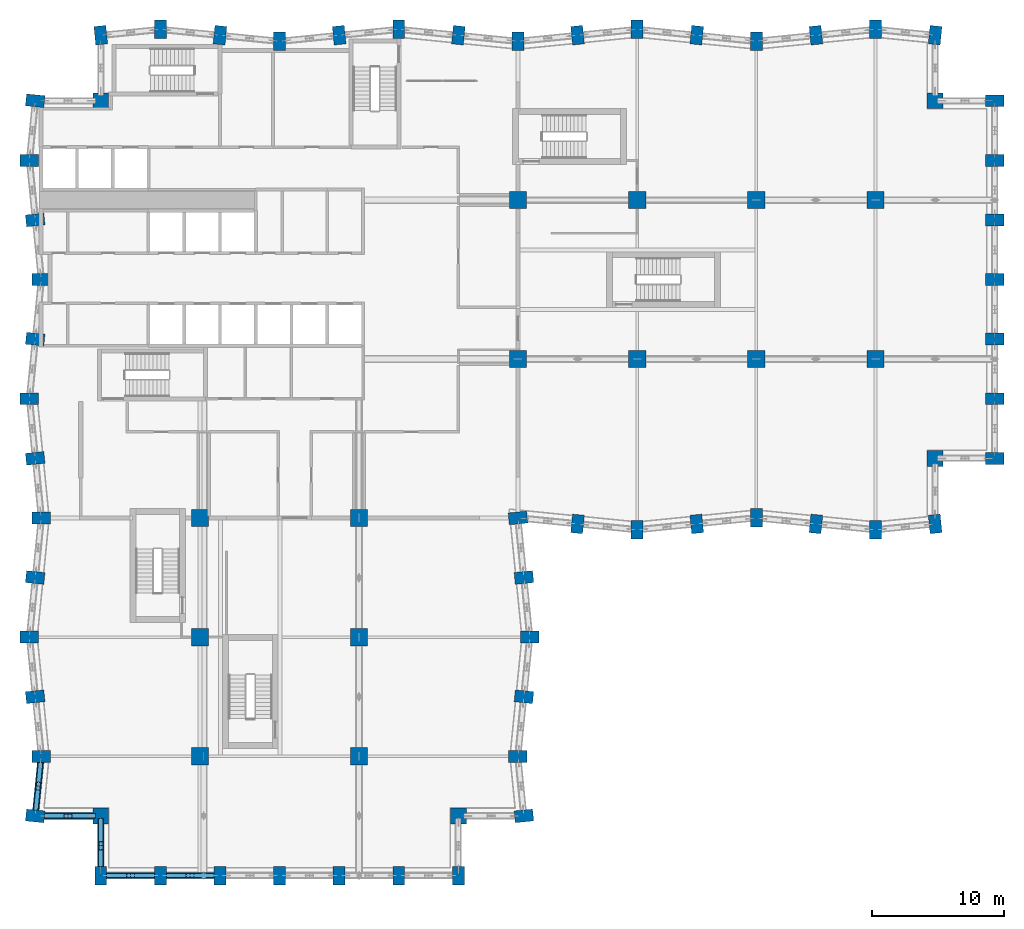
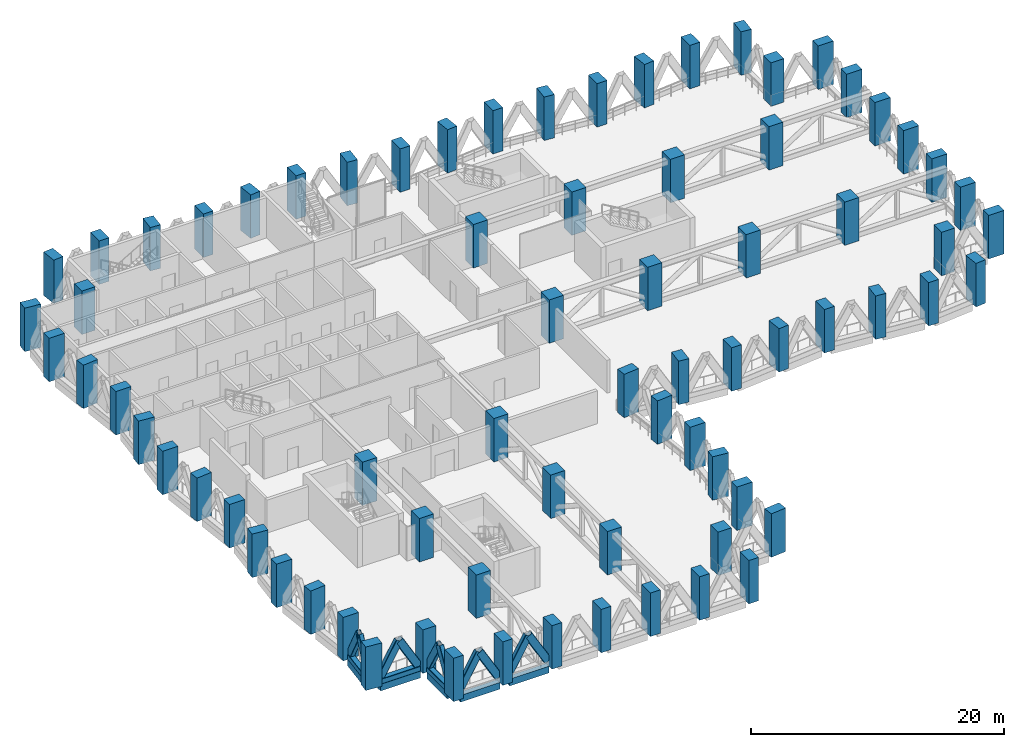
# One storey, part 1 of 25: 74 columns, 13 members, 5 beams.
"""IFC4 building model written with IfcOpenShell, lengths in metres."""

from ifc_helpers import new_model, si_unit, direction, frame, origin, origin_2d, place, context, subcontext, project, spatial, rectangle, hollow_rectangle, extrude, material, material_profile, profile_set, type_object, element, save


model = new_model("IFC4")

# Units and contexts
model_context = context("Model", 3, precision=1e-05, world=origin(), true_north=direction((0.0, 1.0)))
body_context = subcontext(model_context, "Body", "Model", "MODEL_VIEW")
ifc_project = project(units=[si_unit("LENGTHUNIT", "METRE"), si_unit("AREAUNIT", "SQUARE_METRE"), si_unit("VOLUMEUNIT", "CUBIC_METRE"), si_unit("PLANEANGLEUNIT", "RADIAN"), si_unit("MASSUNIT", "GRAM", prefix="KILO")], contexts=[model_context])

# Site, building, storey
site_placement = place(None, origin())
site = spatial("IfcSite", under=ifc_project, at=site_placement, CompositionType="ELEMENT")
building_placement = place(site_placement, origin())
building = spatial("IfcBuilding", under=site, at=building_placement, Name="Brondeck Convention Tower", CompositionType="ELEMENT")
storey_placement = place(building_placement, frame((0.0, 0.0, 84.300048828125)))
storey = spatial("IfcBuildingStorey", under=building, at=storey_placement, Name="L19", CompositionType="ELEMENT", Elevation=84.300048828125)

# Columns
ifc_material_1 = material(Name="Concrete C80/95", Category="concrete")
ifc_material_profile_1 = material_profile(ifc_material_1, rectangle(XDim=1.199951171875, YDim=1.199951171875, at=origin_2d()), Name="Corner column 1200x1200 Concrete C80/95")
ifc_profile_set_1 = profile_set([ifc_material_profile_1], Name="Concrete C80/95")
column_type_1 = type_object("IfcColumnType", Name="Corner column 1200x1200 Concrete C80/95", PredefinedType="COLUMN", material=ifc_profile_set_1)
for number, where, z_axis, x_axis, name in (
    (1, (4.5, 4.5, 0.0), (0.0, 0.0, 1.0), (1.0, 0.0, 0.0), "STR-COL-L19-NC-SWB0"),
    (2, (31.5, 4.5, 0.0), (0.0, 0.0, 1.0), (1.0, 0.0, 0.0), "STR-COL-L19-NC-SEB0"),
    (3, (67.5, 31.5, 0.0), (0.0, 0.0, 1.0), (1.0, 0.0, 0.0), "STR-COL-L19-NC-SEA72"),
    (4, (67.5, 58.5, 0.0), (0.0, 0.0, 1.0), (1.0, 0.0, 0.0), "STR-COL-L19-NC-NEA72"),
    (5, (4.5, 58.5, 0.0), (0.0, 0.0, 1.0), (1.0, 0.0, 0.0), "STR-COL-L19-NC-NW"),
):
    element("IfcColumn", number, at=place(storey_placement, frame(where, z_axis=z_axis, x_axis=x_axis)), inside=storey, type_object=column_type_1, Name=name, PredefinedType="COLUMN", context=body_context, shape_type="SweptSolid", body=[
        extrude(rectangle(XDim=1.199951171875, YDim=1.199951171875, at=origin_2d()), origin(), (0.0, 0.0, 1.0), 4.199951171875),
    ])
ifc_material_profile_2 = material_profile(ifc_material_1, rectangle(XDim=1.300048828125, YDim=1.300048828125, at=origin_2d()), Name="Interior column 1300x1300 Concrete C80/95")
ifc_profile_set_2 = profile_set([ifc_material_profile_2], Name="Concrete C80/95")
column_type_2 = type_object("IfcColumnType", Name="Interior column 1300x1300 Concrete C80/95", PredefinedType="COLUMN", material=ifc_profile_set_2)
for number, where, z_axis, x_axis, name in (
    (6, (12.0, 9.0, 0.0), (0.0, 0.0, 1.0), (1.0, 0.0, 0.0), "STR-COL-L19-IC-01"),
    (7, (12.0, 18.0, 0.0), (0.0, 0.0, 1.0), (1.0, 0.0, 0.0), "STR-COL-L19-IC-02"),
    (8, (12.0, 27.0, 0.0), (0.0, 0.0, 1.0), (1.0, 0.0, 0.0), "STR-COL-L19-IC-03"),
    (9, (24.0, 9.0, 0.0), (0.0, 0.0, 1.0), (1.0, 0.0, 0.0), "STR-COL-L19-IC-04"),
    (10, (24.0, 18.0, 0.0), (0.0, 0.0, 1.0), (1.0, 0.0, 0.0), "STR-COL-L19-IC-05"),
    (11, (24.0, 27.0, 0.0), (0.0, 0.0, 1.0), (1.0, 0.0, 0.0), "STR-COL-L19-IC-06"),
    (12, (36.0, 39.0, 0.0), (0.0, 0.0, 1.0), (1.0, 0.0, 0.0), "STR-COL-L19-IC-07"),
    (13, (36.0, 51.0, 0.0), (0.0, 0.0, 1.0), (1.0, 0.0, 0.0), "STR-COL-L19-IC-08"),
    (14, (45.0, 39.0, 0.0), (0.0, 0.0, 1.0), (1.0, 0.0, 0.0), "STR-COL-L19-IC-09"),
    (15, (45.0, 51.0, 0.0), (0.0, 0.0, 1.0), (1.0, 0.0, 0.0), "STR-COL-L19-IC-10"),
    (16, (54.0, 39.0, 0.0), (0.0, 0.0, 1.0), (1.0, 0.0, 0.0), "STR-COL-L19-IC-11"),
    (17, (54.0, 51.0, 0.0), (0.0, 0.0, 1.0), (1.0, 0.0, 0.0), "STR-COL-L19-IC-12"),
    (18, (63.0, 39.0, 0.0), (0.0, 0.0, 1.0), (1.0, 0.0, 0.0), "STR-COL-L19-IC-13"),
    (19, (63.0, 51.0, 0.0), (0.0, 0.0, 1.0), (1.0, 0.0, 0.0), "STR-COL-L19-IC-14"),
):
    element("IfcColumn", number, at=place(storey_placement, frame(where, z_axis=z_axis, x_axis=x_axis)), inside=storey, type_object=column_type_2, Name=name, PredefinedType="COLUMN", context=body_context, shape_type="SweptSolid", body=[
        extrude(rectangle(XDim=1.300048828125, YDim=1.300048828125, at=origin_2d()), origin(), (0.0, 0.0, 1.0), 4.199951171875),
    ])
ifc_material_profile_3 = material_profile(ifc_material_1, rectangle(XDim=0.89990234375, YDim=1.39990234375, at=origin_2d()), Name="Perimeter pier 900x1400 Concrete C80/95")
ifc_profile_set_3 = profile_set([ifc_material_profile_3], Name="Concrete C80/95")
column_type_3 = type_object("IfcColumnType", Name="Perimeter pier 900x1400 Concrete C80/95", PredefinedType="COLUMN", material=ifc_profile_set_3)
for number, where, z_axis, x_axis, name in (
    (20, (4.5, 0.0, 0.0), (0.0, 0.0, 1.0), (1.0, 0.0, 0.0), "STR-COL-L19-PC-B-S0-01"),
    (21, (9.0, 0.0, 0.0), (0.0, 0.0, 1.0), (1.0, 0.0, 0.0), "STR-COL-L19-PC-B-S0-02"),
    (22, (13.5, 0.0, 0.0), (0.0, 0.0, 1.0), (1.0, 0.0, 0.0), "STR-COL-L19-PC-B-S0-03"),
    (23, (18.0, 0.0, 0.0), (0.0, 0.0, 1.0), (1.0, 0.0, 0.0), "STR-COL-L19-PC-B-S0-04"),
    (24, (22.5, 0.0, 0.0), (0.0, 0.0, 1.0), (1.0, 0.0, 0.0), "STR-COL-L19-PC-B-S0-05"),
    (25, (27.0, 0.0, 0.0), (0.0, 0.0, 1.0), (1.0, 0.0, 0.0), "STR-COL-L19-PC-B-S0-06"),
    (26, (31.5, 0.0, 0.0), (0.0, 0.0, 1.0), (1.0, 0.0, 0.0), "STR-COL-L19-PC-B-S0-07"),
    (27, (36.449951171875, 4.5, 0.0), (0.0, 0.0, 1.0), (-0.0995038382, 0.995037178292, 0.0), "STR-COL-L19-PC-B-E-05"),
    (28, (36.0, 9.0, 0.0), (0.0, 0.0, 1.0), (0.0, 1.0, 0.0), "STR-COL-L19-PC-B-E-04"),
    (29, (36.449951171875, 13.5, 0.0), (0.0, 0.0, 1.0), (0.0995038382, 0.995037178292, 0.0), "STR-COL-L19-PC-B-E-03"),
    (30, (36.89990234375, 18.0, 0.0), (0.0, 0.0, 1.0), (0.0, 1.0, 0.0), "STR-COL-L19-PC-B-E-02"),
    (31, (36.449951171875, 22.5, 0.0), (0.0, 0.0, 1.0), (-0.0995038382, 0.995037178292, 0.0), "STR-COL-L19-PC-B-E-01"),
    (32, (36.0, 27.0, 0.0), (0.0, 0.0, 1.0), (-0.0995038382, 0.995037178292, 0.0), "STR-COL-L19-PC-B-E-00"),
    (33, (40.5, 26.550048828125, 0.0), (0.0, 0.0, 1.0), (0.995037178292, -0.0995038382, 0.0), "STR-COL-L19-PC-A-S-01"),
    (34, (45.0, 26.10009765625, 0.0), (0.0, 0.0, 1.0), (1.0, 0.0, 0.0), "STR-COL-L19-PC-A-S-02"),
    (35, (49.5, 26.550048828125, 0.0), (0.0, 0.0, 1.0), (0.995037178292, 0.0995038382, 0.0), "STR-COL-L19-PC-A-S-03"),
    (36, (54.0, 27.0, 0.0), (0.0, 0.0, 1.0), (1.0, 0.0, 0.0), "STR-COL-L19-PC-A-S-04"),
    (37, (58.5, 26.550048828125, 0.0), (0.0, 0.0, 1.0), (0.995037178292, -0.0995038382, 0.0), "STR-COL-L19-PC-A-S-05"),
    (38, (63.0, 26.10009765625, 0.0), (0.0, 0.0, 1.0), (1.0, 0.0, 0.0), "STR-COL-L19-PC-A-S-06"),
    (39, (67.5, 26.550048828125, 0.0), (0.0, 0.0, 1.0), (0.995037178292, 0.0995038382, 0.0), "STR-COL-L19-PC-A-S-07"),
    (40, (72.0, 31.5, 0.0), (0.0, 0.0, 1.0), (0.0, 1.0, 0.0), "STR-COL-L19-PC-A-E72-01"),
    (41, (72.0, 36.0, 0.0), (0.0, 0.0, 1.0), (0.0, 1.0, 0.0), "STR-COL-L19-PC-A-E72-02"),
    (42, (72.0, 40.5, 0.0), (0.0, 0.0, 1.0), (0.0, 1.0, 0.0), "STR-COL-L19-PC-A-E72-03"),
    (43, (72.0, 45.0, 0.0), (0.0, 0.0, 1.0), (0.0, 1.0, 0.0), "STR-COL-L19-PC-A-E72-04"),
    (44, (72.0, 49.5, 0.0), (0.0, 0.0, 1.0), (0.0, 1.0, 0.0), "STR-COL-L19-PC-A-E72-05"),
    (45, (72.0, 54.0, 0.0), (0.0, 0.0, 1.0), (0.0, 1.0, 0.0), "STR-COL-L19-PC-A-E72-06"),
    (46, (72.0, 58.5, 0.0), (0.0, 0.0, 1.0), (0.0, 1.0, 0.0), "STR-COL-L19-PC-A-E72-07"),
    (47, (67.5, 63.449951171875, 0.0), (0.0, 0.0, 1.0), (-0.995037178292, 0.0995038382, 0.0), "STR-COL-L19-PC-A-N-15"),
    (48, (63.0, 63.89990234375, 0.0), (0.0, 0.0, 1.0), (-1.0, 0.0, 0.0), "STR-COL-L19-PC-A-N-14"),
    (49, (58.5, 63.449951171875, 0.0), (0.0, 0.0, 1.0), (-0.995037178292, -0.0995038382, 0.0), "STR-COL-L19-PC-A-N-13"),
    (50, (54.0, 63.0, 0.0), (0.0, 0.0, 1.0), (-1.0, 0.0, 0.0), "STR-COL-L19-PC-A-N-12"),
    (51, (49.5, 63.449951171875, 0.0), (0.0, 0.0, 1.0), (-0.995037178292, 0.0995038382, 0.0), "STR-COL-L19-PC-A-N-11"),
    (52, (45.0, 63.89990234375, 0.0), (0.0, 0.0, 1.0), (-1.0, 0.0, 0.0), "STR-COL-L19-PC-A-N-10"),
    (53, (40.5, 63.449951171875, 0.0), (0.0, 0.0, 1.0), (-0.995037178292, -0.0995038382, 0.0), "STR-COL-L19-PC-A-N-09"),
    (54, (36.0, 63.0, 0.0), (0.0, 0.0, 1.0), (-1.0, 0.0, 0.0), "STR-COL-L19-PC-A-N-08"),
    (55, (31.5, 63.449951171875, 0.0), (0.0, 0.0, 1.0), (-0.995037178292, 0.0995038382, 0.0), "STR-COL-L19-PC-A-N-07"),
    (56, (27.0, 63.89990234375, 0.0), (0.0, 0.0, 1.0), (-1.0, 0.0, 0.0), "STR-COL-L19-PC-A-N-06"),
    (57, (22.5, 63.449951171875, 0.0), (0.0, 0.0, 1.0), (-0.995037178292, -0.0995038382, 0.0), "STR-COL-L19-PC-A-N-05"),
    (58, (18.0, 63.0, 0.0), (0.0, 0.0, 1.0), (-1.0, 0.0, 0.0), "STR-COL-L19-PC-A-N-04"),
    (59, (13.5, 63.449951171875, 0.0), (0.0, 0.0, 1.0), (-0.995037178292, 0.0995038382, 0.0), "STR-COL-L19-PC-A-N-03"),
    (60, (9.0, 63.89990234375, 0.0), (0.0, 0.0, 1.0), (-1.0, 0.0, 0.0), "STR-COL-L19-PC-A-N-02"),
    (61, (4.5, 63.449951171875, 0.0), (0.0, 0.0, 1.0), (-0.995037178292, -0.0995038382, 0.0), "STR-COL-L19-PC-A-N-01"),
    (62, (-0.449951171875, 58.5, 0.0), (0.0, 0.0, 1.0), (-0.0995038382, -0.995037178292, 0.0), "STR-COL-L19-PC-B-W-01"),
    (63, (-0.89990234375, 54.0, 0.0), (0.0, 0.0, 1.0), (0.0, -1.0, 0.0), "STR-COL-L19-PC-B-W-02"),
    (64, (-0.449951171875, 49.5, 0.0), (0.0, 0.0, 1.0), (0.0995038382, -0.995037178292, 0.0), "STR-COL-L19-PC-B-W-03"),
    (65, (0.0, 45.0, 0.0), (0.0, 0.0, 1.0), (0.0, -1.0, 0.0), "STR-COL-L19-PC-B-W-04"),
    (66, (-0.449951171875, 40.5, 0.0), (0.0, 0.0, 1.0), (-0.0995038382, -0.995037178292, 0.0), "STR-COL-L19-PC-B-W-05"),
    (67, (-0.89990234375, 36.0, 0.0), (0.0, 0.0, 1.0), (0.0, -1.0, 0.0), "STR-COL-L19-PC-B-W-06"),
    (68, (-0.449951171875, 31.5, 0.0), (0.0, 0.0, 1.0), (0.0995038382, -0.995037178292, 0.0), "STR-COL-L19-PC-B-W-07"),
    (69, (0.0, 27.0, 0.0), (0.0, 0.0, 1.0), (0.0, -1.0, 0.0), "STR-COL-L19-PC-B-W-08"),
    (70, (-0.449951171875, 22.5, 0.0), (0.0, 0.0, 1.0), (-0.0995038382, -0.995037178292, 0.0), "STR-COL-L19-PC-B-W-09"),
    (71, (-0.89990234375, 18.0, 0.0), (0.0, 0.0, 1.0), (0.0, -1.0, 0.0), "STR-COL-L19-PC-B-W-10"),
    (72, (-0.449951171875, 13.5, 0.0), (0.0, 0.0, 1.0), (0.0995038382, -0.995037178292, 0.0), "STR-COL-L19-PC-B-W-11"),
    (73, (0.0, 9.0, 0.0), (0.0, 0.0, 1.0), (0.0, -1.0, 0.0), "STR-COL-L19-PC-B-W-12"),
    (74, (-0.449951171875, 4.5, 0.0), (0.0, 0.0, 1.0), (-0.0995038382, -0.995037178292, 0.0), "STR-COL-L19-PC-B-W-13"),
):
    element("IfcColumn", number, at=place(storey_placement, frame(where, z_axis=z_axis, x_axis=x_axis)), inside=storey, type_object=column_type_3, Name=name, PredefinedType="COLUMN", context=body_context, shape_type="SweptSolid", body=[
        extrude(rectangle(XDim=0.89990234375, YDim=1.39990234375, at=origin_2d()), origin(), (0.0, 0.0, 1.0), 4.199951171875),
    ])

# Members
ifc_material_2 = material(Name="Steel S460", Category="steel")
ifc_material_profile_4 = material_profile(ifc_material_2, hollow_rectangle(XDim=0.39990234375, YDim=0.699951171875, WallThickness=0.030029296875, InnerFilletRadius=0.030029296875, OuterFilletRadius=0.06005859375, at=origin_2d()), Name="RHS 700x400x30")
ifc_profile_set_4 = profile_set([ifc_material_profile_4], Name="Steel S460")
member_type_1 = type_object("IfcMemberType", Name="Chevron brace RHS 700x400x30", PredefinedType="BRACE", material=ifc_profile_set_4)
for number, where, z_axis, x_axis, name in (
    (75, (4.989013671875, 0.0, 0.5), (0.500008478926, 0.0, 0.866020508419), (0.0, 1.0, 0.0), "Belt truss BT-19-1 diagonal"),
    (76, (8.510986328125, 0.0, 0.5), (-0.500008478926, 0.0, 0.866020508419), (0.0, -1.0, 0.0), "Belt truss BT-19-1 diagonal"),
    (77, (9.489013671875, 0.0, 0.5), (0.500008478926, 0.0, 0.866020508419), (0.0, 1.0, 0.0), "Belt truss BT-19-2 diagonal"),
    (78, (13.010986328125, 0.0, 0.5), (-0.500008478926, 0.0, 0.866020508419), (0.0, -1.0, 0.0), "Belt truss BT-19-2 diagonal"),
    (79, (-0.0498046875, 8.502197265625, 0.5), (-0.049772391254, -0.497515949904, 0.866025743647), (0.995033071281, -0.099544899705, 0.0), "Belt truss BT-19-58 diagonal"),
    (80, (-0.400146484375, 4.997802734375, 0.5), (0.049703241745, 0.49751766528, 0.866028729601), (-0.995046794549, 0.099407628771, 0.0), "Belt truss BT-19-58 diagonal"),
):
    element("IfcMember", number, at=place(storey_placement, frame(where, z_axis=z_axis, x_axis=x_axis)), inside=storey, type_object=member_type_1, Name=name, PredefinedType="BRACE", context=body_context, shape_type="SweptSolid", body=[
        extrude(hollow_rectangle(XDim=0.39990234375, YDim=0.699951171875, WallThickness=0.030029296875, InnerFilletRadius=0.030029296875, OuterFilletRadius=0.06005859375, at=origin_2d()), origin(), (0.0, 0.0, 1.0), 3.52197265625),
    ])
member_1_placement = place(storey_placement, frame((0.26416015625, 4.5, 0.5), z_axis=(0.499956486466, 0.0, 0.866050524878), x_axis=(0.0, 1.0, 0.0)))
element("IfcMember", 81, at=member_1_placement, inside=storey, type_object=member_type_1, Name="Belt truss BT-19-59 diagonal", PredefinedType="BRACE", context=body_context, shape_type="SweptSolid", body=[
    extrude(hollow_rectangle(XDim=0.39990234375, YDim=0.699951171875, WallThickness=0.030029296875, InnerFilletRadius=0.030029296875, OuterFilletRadius=0.06005859375, at=origin_2d()), origin(), (0.0, 0.0, 1.0), 3.521728515625),
])
for number, where, z_axis, x_axis, name in (
    (82, (3.785888671875, 4.5, 0.5), (-0.500008478926, 0.0, 0.866020508419), (0.0, -1.0, 0.0), "Belt truss BT-19-59 diagonal"),
    (83, (4.5, 4.010986328125, 0.5), (0.0, -0.500008478926, 0.866020508419), (1.0, 0.0, 0.0), "Belt truss BT-19-60 diagonal"),
    (84, (4.5, 0.489013671875, 0.5), (0.0, 0.500008478926, 0.866020508419), (-1.0, 0.0, 0.0), "Belt truss BT-19-60 diagonal"),
):
    element("IfcMember", number, at=place(storey_placement, frame(where, z_axis=z_axis, x_axis=x_axis)), inside=storey, type_object=member_type_1, Name=name, PredefinedType="BRACE", context=body_context, shape_type="SweptSolid", body=[
        extrude(hollow_rectangle(XDim=0.39990234375, YDim=0.699951171875, WallThickness=0.030029296875, InnerFilletRadius=0.030029296875, OuterFilletRadius=0.06005859375, at=origin_2d()), origin(), (0.0, 0.0, 1.0), 3.52197265625),
    ])

# Beams
ifc_material_profile_5 = material_profile(ifc_material_1, rectangle(XDim=0.449951171875, YDim=0.64990234375, at=origin_2d()), Name="Precast spandrel 450x650 Concrete C80/95")
ifc_profile_set_5 = profile_set([ifc_material_profile_5], Name="Concrete C80/95")
beam_type = type_object("IfcBeamType", Name="Precast spandrel 450x650 Concrete C80/95", PredefinedType="SPANDREL", material=ifc_profile_set_5)
for number, where, z_axis, x_axis, name in (
    (85, (4.949951171875, 0.0, -0.324951171875), (1.0, 0.0, 0.0), (0.0, 1.0, 0.0), "STR-SP-L19-001"),
    (86, (9.449951171875, 0.0, -0.324951171875), (1.0, 0.0, 0.0), (0.0, 1.0, 0.0), "STR-SP-L19-002"),
):
    element("IfcBeam", number, at=place(storey_placement, frame(where, z_axis=z_axis, x_axis=x_axis)), inside=storey, type_object=beam_type, Name=name, PredefinedType="SPANDREL", context=body_context, shape_type="SweptSolid", body=[
        extrude(rectangle(XDim=0.449951171875, YDim=0.64990234375, at=origin_2d()), origin(), (0.0, 0.0, 1.0), 3.60009765625),
    ])
beam_1_placement = place(storey_placement, frame((-0.044921875, 8.550048828125, -0.324951171875), z_axis=(-0.099537103649, -0.995033851182, 0.0), x_axis=(0.995033851182, -0.099537103649, 0.0)))
element("IfcBeam", 87, at=beam_1_placement, inside=storey, type_object=beam_type, Name="STR-SP-L19-058", PredefinedType="SPANDREL", context=body_context, shape_type="SweptSolid", body=[
    extrude(rectangle(XDim=0.449951171875, YDim=0.64990234375, at=origin_2d()), origin(), (0.0, 0.0, 1.0), 3.620361328125),
])
beam_2_placement = place(storey_placement, frame((0.25341796875, 4.5, -0.324951171875), z_axis=(1.0, 0.0, 0.0), x_axis=(0.0, 1.0, 0.0)))
element("IfcBeam", 88, at=beam_2_placement, inside=storey, type_object=beam_type, Name="STR-SP-L19-059", PredefinedType="SPANDREL", context=body_context, shape_type="SweptSolid", body=[
    extrude(rectangle(XDim=0.449951171875, YDim=0.64990234375, at=origin_2d()), origin(), (0.0, 0.0, 1.0), 3.646484375),
])
beam_3_placement = place(storey_placement, frame((4.5, 3.89990234375, -0.324951171875), z_axis=(0.0, -1.0, 0.0), x_axis=(1.0, 0.0, 0.0)))
element("IfcBeam", 89, at=beam_3_placement, inside=storey, type_object=beam_type, Name="STR-SP-L19-060", PredefinedType="SPANDREL", context=body_context, shape_type="SweptSolid", body=[
    extrude(rectangle(XDim=0.449951171875, YDim=0.64990234375, at=origin_2d()), origin(), (0.0, 0.0, 1.0), 3.199951171875),
])

# Members
ifc_material_profile_6 = material_profile(ifc_material_2, hollow_rectangle(XDim=0.5, YDim=0.5, WallThickness=0.02490234375, InnerFilletRadius=0.02490234375, OuterFilletRadius=0.050048828125, at=origin_2d()), Name="RHS 500x500x25")
ifc_profile_set_6 = profile_set([ifc_material_profile_6], Name="Steel S460")
member_type_2 = type_object("IfcMemberType", Name="Truss chord RHS 500x500x25", PredefinedType="CHORD", material=ifc_profile_set_6)
member_2_placement = place(storey_placement, frame((0.0, 9.0, 0.25), z_axis=(-0.099493029059, -0.995038259148, 0.0), x_axis=(0.995038259148, -0.099493029059, 0.0)))
element("IfcMember", 90, at=member_2_placement, inside=storey, type_object=member_type_2, Name="Belt truss BT-19-32 chord", PredefinedType="CHORD", context=body_context, shape_type="SweptSolid", body=[
    extrude(hollow_rectangle(XDim=0.5, YDim=0.5, WallThickness=0.02490234375, InnerFilletRadius=0.02490234375, OuterFilletRadius=0.050048828125, at=origin_2d()), origin(), (0.0, 0.0, 1.0), 4.5224609375),
])
member_3_placement = place(storey_placement, frame((-0.449951171875, 4.5, 0.25), z_axis=(1.0, 0.0, 0.0), x_axis=(0.0, 1.0, 0.0)))
element("IfcMember", 91, at=member_3_placement, inside=storey, type_object=member_type_2, Name="Belt truss BT-19-33 chord", PredefinedType="CHORD", context=body_context, shape_type="SweptSolid", body=[
    extrude(hollow_rectangle(XDim=0.5, YDim=0.5, WallThickness=0.02490234375, InnerFilletRadius=0.02490234375, OuterFilletRadius=0.050048828125, at=origin_2d()), origin(), (0.0, 0.0, 1.0), 4.949951171875),
])
member_4_placement = place(storey_placement, frame((4.5, 4.5, 0.25), z_axis=(0.0, -1.0, 0.0), x_axis=(1.0, 0.0, 0.0)))
element("IfcMember", 92, at=member_4_placement, inside=storey, type_object=member_type_2, Name="Belt truss BT-19-34 chord", PredefinedType="CHORD", context=body_context, shape_type="SweptSolid", body=[
    extrude(hollow_rectangle(XDim=0.5, YDim=0.5, WallThickness=0.02490234375, InnerFilletRadius=0.02490234375, OuterFilletRadius=0.050048828125, at=origin_2d()), origin(), (0.0, 0.0, 1.0), 4.5),
])

save(model, "model.ifc")
